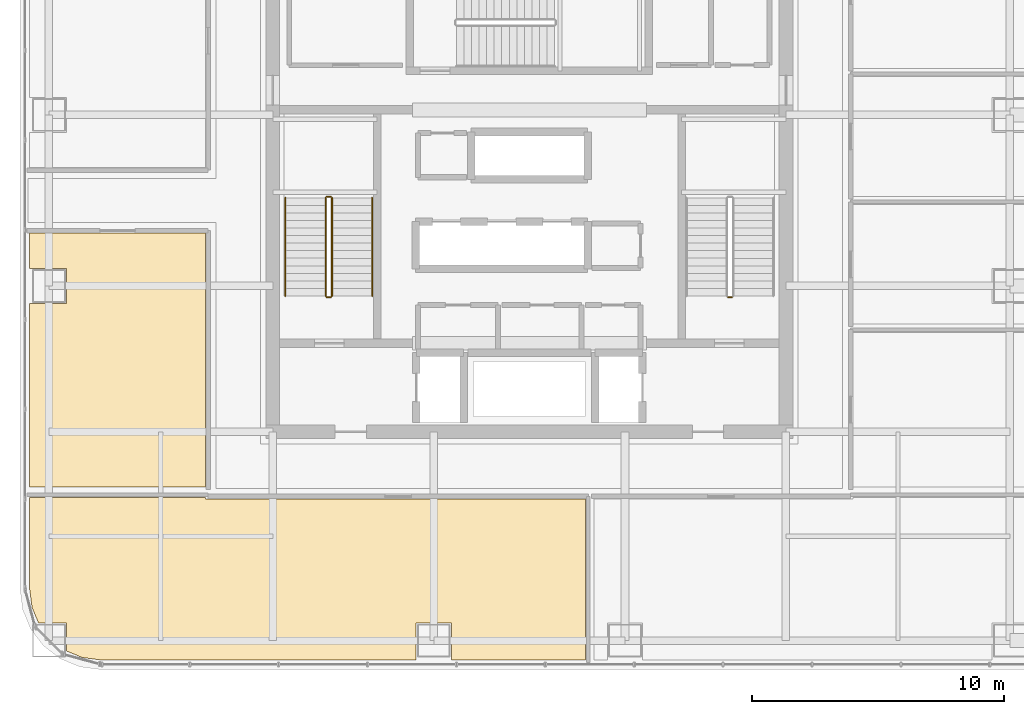
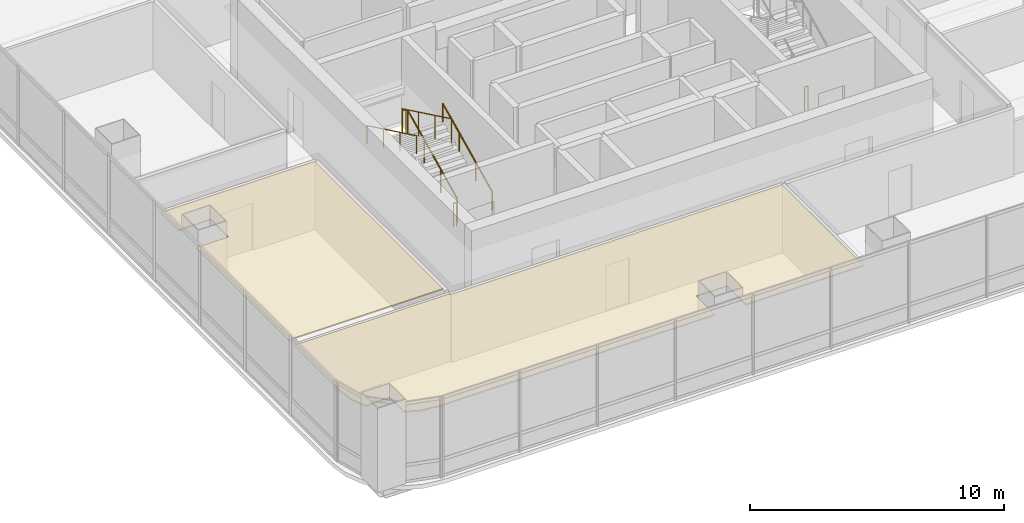
# One storey, part 36 of 39: 7 railings, 2 coverings.
"""IFC4 building model written with IfcOpenShell, lengths in metres."""

from ifc_helpers import new_model, si_unit, direction, frame, origin, origin_2d, place, context, subcontext, project, spatial, polyline, circle, outline, extrude, material, layer, layer_set, type_object, element, save


model = new_model("IFC4")

# Units and contexts
model_context = context("Model", 3, precision=1e-05, world=origin(), true_north=direction((0.0, 1.0)))
body_context = subcontext(model_context, "Body", "Model", "MODEL_VIEW")
ifc_project = project(units=[si_unit("LENGTHUNIT", "METRE"), si_unit("AREAUNIT", "SQUARE_METRE"), si_unit("VOLUMEUNIT", "CUBIC_METRE"), si_unit("PLANEANGLEUNIT", "RADIAN"), si_unit("MASSUNIT", "GRAM", prefix="KILO")], contexts=[model_context])

# Site, building, storey
site_placement = place(None, origin())
site = spatial("IfcSite", under=ifc_project, at=site_placement, CompositionType="ELEMENT")
building_placement = place(site_placement, origin())
building = spatial("IfcBuilding", under=site, at=building_placement, Name="Punatoya Terracotta Tower", CompositionType="ELEMENT")
storey_placement = place(building_placement, frame((0.0, 0.0, 275.699951171875)))
storey = spatial("IfcBuildingStorey", under=building, at=storey_placement, Name="L65", CompositionType="ELEMENT", Elevation=275.699951171875)

# Coverings
ifc_material_1 = material(Name="Acoustic Mineral Fibre Ceiling")
ifc_layer = layer(ifc_material_1, 0.06005859375)
ifc_layer_set = layer_set([ifc_layer], Name="Acoustic Mineral Fibre Ceiling")
covering_type = type_object("IfcCoveringType", Name="COV-CEIL-60", PredefinedType="CEILING", material=ifc_layer_set)
covering_1_placement = place(storey_placement, frame((0.0, 0.0, 3.239990234375)))
element("IfcCovering", 1, at=covering_1_placement, inside=storey, type_object=covering_type, Name="L65 Open Workplace Studio Acoustic Ceiling", PredefinedType="CEILING", context=body_context, shape_type="SweptSolid", body=[
    extrude(outline(polyline([(-19.513427734375, -16.800048828125), (-18.39990234375, -16.800048828125), (-18.39990234375, -17.91357421875), (-17.779052734375, -18.1708984375), (-17.025146484375, -18.27001953125), (-4.5, -18.27001953125), (-4.5, -16.800048828125), (-3.10009765625, -16.800048828125), (-3.10009765625, -18.27001953125), (2.239990234375, -18.27001953125), (2.239990234375, -11.8701171875), (-12.8701171875, -11.8701171875), (-12.8701171875, -11.81005859375), (-19.8701171875, -11.81005859375), (-19.8701171875, -15.425048828125), (-19.770751953125, -16.178955078125), (-19.513427734375, -16.800048828125)])), origin(), (0.0, 0.0, 1.0), 0.06005859375),
])
covering_2_placement = place(storey_placement, frame((0.0, 0.0, 3.239990234375)))
element("IfcCovering", 2, at=covering_2_placement, inside=storey, type_object=covering_type, Name="L65 Open-Plan Client Strategy Boardroom Acoustic Ceiling", PredefinedType="CEILING", context=body_context, shape_type="SweptSolid", body=[
    extrude(outline(polyline([(-19.8701171875, -4.10009765625), (-19.8701171875, -11.389892578125), (-12.8701171875, -11.389892578125), (-12.8701171875, -1.300048828125), (-19.8701171875, -1.300048828125), (-19.8701171875, -2.699951171875), (-18.39990234375, -2.699951171875), (-18.39990234375, -4.10009765625), (-19.8701171875, -4.10009765625)])), origin(), (0.0, 0.0, 1.0), 0.06005859375),
])

# Railings
ifc_material_2 = material(Name="Steel S355", Category="steel")
railing_type_1 = type_object("IfcRailingType", Name="RLG-GRD-1150", PredefinedType="GUARDRAIL", material=ifc_material_2)
railing_1_placement = place(storey_placement, frame((-7.85009765625, -3.800048828125, 0.144775390625)))
element("IfcRailing", 3, at=railing_1_placement, inside=storey, type_object=railing_type_1, Name="L65 ST-1 stair guard 1", PredefinedType="GUARDRAIL", context=body_context, shape_type="SweptSolid", body=[
    extrude(circle(Radius=0.02392578125, at=origin_2d()), frame((0.0, 0.0, 1.1259765625), z_axis=(0.0, 0.900773802044, 0.434288564841), x_axis=(-1.0, 0.0, 0.0)), (0.0, 0.0, 1.0), 4.329833984375),
    extrude(circle(Radius=0.02099609375, at=origin_2d()), origin(), (0.0, 0.0, 1.0), 1.101806640625),
    extrude(circle(Radius=0.02099609375, at=origin_2d()), frame((0.0, 1.300048828125, 0.626708984375)), (0.0, 0.0, 1.0), 1.101806640625),
    extrude(circle(Radius=0.02099609375, at=origin_2d()), frame((0.0, 2.60009765625, 1.253662109375)), (0.0, 0.0, 1.0), 1.101806640625),
    extrude(circle(Radius=0.02099609375, at=origin_2d()), frame((0.0, 3.900146484375, 1.88037109375)), (0.0, 0.0, 1.0), 1.101806640625),
])
railing_2_placement = place(storey_placement, frame((-7.89990234375, 0.14990234375, 2.025146484375)))
element("IfcRailing", 4, at=railing_2_placement, inside=storey, type_object=railing_type_1, Name="L65 ST-1 stair guard 2", PredefinedType="GUARDRAIL", context=body_context, shape_type="SweptSolid", body=[
    extrude(circle(Radius=0.02392578125, at=origin_2d()), frame((0.0, 0.0, 1.1259765625), z_axis=(-1.0, 0.0, 0.0), x_axis=(0.0, -1.0, 0.0)), (0.0, 0.0, 1.0), 0.150146484375),
    extrude(circle(Radius=0.02099609375, at=origin_2d()), origin(), (0.0, 0.0, 1.0), 1.101806640625),
    extrude(circle(Radius=0.02099609375, at=origin_2d()), frame((-0.150146484375, 0.0, 0.0)), (0.0, 0.0, 1.0), 1.101806640625),
])
railing_3_placement = place(storey_placement, frame((-8.10009765625, 0.10009765625, 2.169677734375)))
element("IfcRailing", 5, at=railing_3_placement, inside=storey, type_object=railing_type_1, Name="L65 ST-1 stair guard 3", PredefinedType="GUARDRAIL", context=body_context, shape_type="SweptSolid", body=[
    extrude(circle(Radius=0.02392578125, at=origin_2d()), frame((0.0, 0.0, 1.1259765625), z_axis=(0.0, -0.900773802044, 0.434288564841), x_axis=(1.0, 0.0, 0.0)), (0.0, 0.0, 1.0), 4.329833984375),
    extrude(circle(Radius=0.02099609375, at=origin_2d()), origin(), (0.0, 0.0, 1.0), 1.101806640625),
    extrude(circle(Radius=0.02099609375, at=origin_2d()), frame((0.0, -1.300048828125, 0.626708984375)), (0.0, 0.0, 1.0), 1.101806640625),
    extrude(circle(Radius=0.02099609375, at=origin_2d()), frame((0.0, -2.60009765625, 1.253662109375)), (0.0, 0.0, 1.0), 1.101806640625),
    extrude(circle(Radius=0.02099609375, at=origin_2d()), frame((0.0, -3.900146484375, 1.88037109375)), (0.0, 0.0, 1.0), 1.101806640625),
])
for number, where, name in (
    (6, (-7.89990234375, -3.85009765625, 0.0), "L65 ST-1 stair guard 4"),
    (7, (8.050048828125, -3.85009765625, 0.0), "L65 ST-2 stair guard 4"),
):
    element("IfcRailing", number, at=place(storey_placement, frame(where)), inside=storey, type_object=railing_type_1, Name=name, PredefinedType="GUARDRAIL", context=body_context, shape_type="SweptSolid", body=[
        extrude(circle(Radius=0.02392578125, at=origin_2d()), frame((0.0, 0.0, 1.1259765625), z_axis=(-1.0, 0.0, 0.0), x_axis=(0.0, -1.0, 0.0)), (0.0, 0.0, 1.0), 0.150146484375),
        extrude(circle(Radius=0.02099609375, at=origin_2d()), origin(), (0.0, 0.0, 1.0), 1.101806640625),
        extrude(circle(Radius=0.02099609375, at=origin_2d()), frame((-0.150146484375, 0.0, 0.0)), (0.0, 0.0, 1.0), 1.101806640625),
    ])
railing_type_2 = type_object("IfcRailingType", Name="RLG-HND-900", PredefinedType="HANDRAIL", material=ifc_material_2)
railing_4_placement = place(storey_placement, frame((-6.25, -3.800048828125, 0.144775390625)))
element("IfcRailing", 8, at=railing_4_placement, inside=storey, type_object=railing_type_2, Name="L65 ST-1 stair handrail 1", PredefinedType="HANDRAIL", context=body_context, shape_type="SweptSolid", body=[
    extrude(circle(Radius=0.02392578125, at=origin_2d()), frame((0.0, 0.0, 0.8759765625), z_axis=(0.0, 0.900773802044, 0.434288564841), x_axis=(-1.0, 0.0, 0.0)), (0.0, 0.0, 1.0), 4.329833984375),
    extrude(circle(Radius=0.02099609375, at=origin_2d()), origin(), (0.0, 0.0, 1.0), 0.851806640625),
    extrude(circle(Radius=0.02099609375, at=origin_2d()), frame((0.0, 1.300048828125, 0.626708984375)), (0.0, 0.0, 1.0), 0.851806640625),
    extrude(circle(Radius=0.02099609375, at=origin_2d()), frame((0.0, 2.60009765625, 1.253662109375)), (0.0, 0.0, 1.0), 0.851806640625),
    extrude(circle(Radius=0.02099609375, at=origin_2d()), frame((0.0, 3.900146484375, 1.88037109375)), (0.0, 0.0, 1.0), 0.851806640625),
])
railing_5_placement = place(storey_placement, frame((-9.699951171875, 0.10009765625, 2.169677734375)))
element("IfcRailing", 9, at=railing_5_placement, inside=storey, type_object=railing_type_2, Name="L65 ST-1 stair handrail 2", PredefinedType="HANDRAIL", context=body_context, shape_type="SweptSolid", body=[
    extrude(circle(Radius=0.02392578125, at=origin_2d()), frame((0.0, 0.0, 0.8759765625), z_axis=(0.0, -0.900773802044, 0.434288564841), x_axis=(1.0, 0.0, 0.0)), (0.0, 0.0, 1.0), 4.329833984375),
    extrude(circle(Radius=0.02099609375, at=origin_2d()), origin(), (0.0, 0.0, 1.0), 0.851806640625),
    extrude(circle(Radius=0.02099609375, at=origin_2d()), frame((0.0, -1.300048828125, 0.626708984375)), (0.0, 0.0, 1.0), 0.851806640625),
    extrude(circle(Radius=0.02099609375, at=origin_2d()), frame((0.0, -2.60009765625, 1.253662109375)), (0.0, 0.0, 1.0), 0.851806640625),
    extrude(circle(Radius=0.02099609375, at=origin_2d()), frame((0.0, -3.900146484375, 1.88037109375)), (0.0, 0.0, 1.0), 0.851806640625),
])

save(model, "model.ifc")
